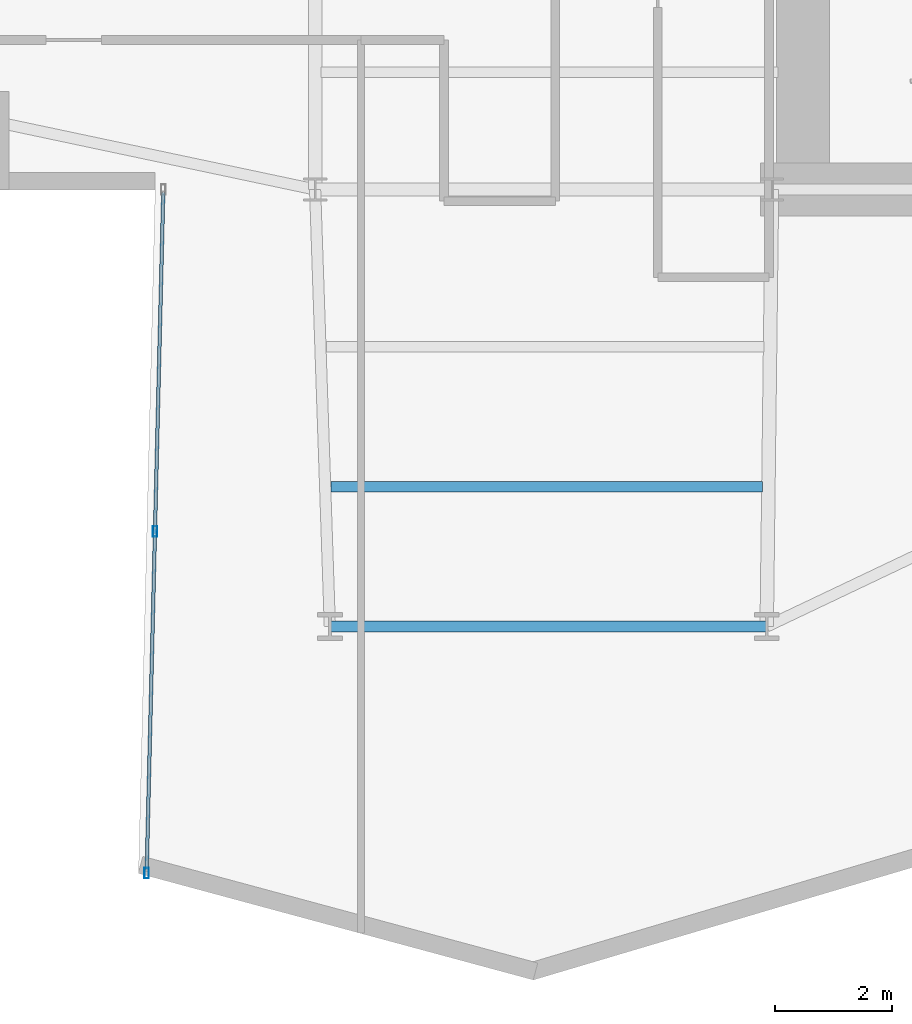
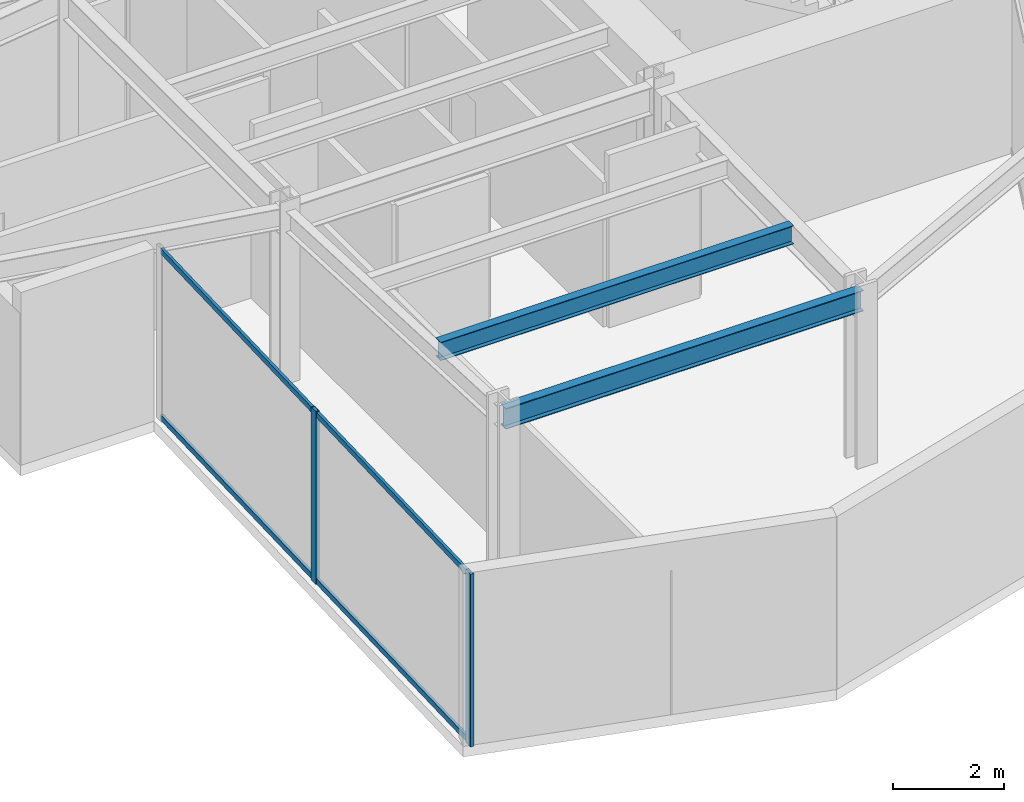
# One storey, part 4 of 24: 4 members, 2 beams, 1 element without a shape of its own.
"""IFC4 building model written with IfcOpenShell, lengths in metres."""

from ifc_helpers import new_model, si_unit, direction, frame, origin, origin_2d, place, context, subcontext, project, spatial, hollow_rectangle, i_section, extrude, material, layer, layer_set, material_profile, profile_set, type_object, element, aggregate, save


model = new_model("IFC4")

# Units and contexts
model_context = context("Model", 3, precision=1e-05, world=origin(), true_north=direction((0.0, 1.0)))
body_context = subcontext(model_context, "Body", "Model", "MODEL_VIEW")
ifc_project = project(units=[si_unit("LENGTHUNIT", "METRE"), si_unit("AREAUNIT", "SQUARE_METRE"), si_unit("VOLUMEUNIT", "CUBIC_METRE"), si_unit("PLANEANGLEUNIT", "RADIAN"), si_unit("MASSUNIT", "GRAM", prefix="KILO")], contexts=[model_context])

# Site, building, storey
site_placement = place(None, origin())
site = spatial("IfcSite", under=ifc_project, at=site_placement, CompositionType="ELEMENT")
building_placement = place(site_placement, origin())
building = spatial("IfcBuilding", under=site, at=building_placement, Name="Veymaron Broadcast Tower", CompositionType="ELEMENT")
storey_placement = place(building_placement, frame((0.0, 0.0, 78.300048828125)))
storey = spatial("IfcBuildingStorey", under=building, at=storey_placement, Name="L17", CompositionType="ELEMENT", Elevation=78.300048828125)

# Beams
ifc_material_1 = material(Name="Structural steel ASTM A992 Gr 50", Category="steel")
ifc_material_profile_1 = material_profile(ifc_material_1, i_section(OverallWidth=0.177978515625, OverallDepth=0.406982421875, WebThickness=0.0078125, FlangeThickness=0.0126953125, at=origin_2d()), Name="W410X60")
ifc_profile_set_1 = profile_set([ifc_material_profile_1], Name="Structural steel ASTM A992 Gr 50")
beam_type_1 = type_object("IfcBeamType", Name="BM-JS1", PredefinedType="JOIST", material=ifc_profile_set_1)
beam_1_placement = place(storey_placement, frame((31.471435546875, 10.92724609375, 3.6064453125), z_axis=(1.0, 0.0, 0.0), x_axis=(0.0, 1.0, 0.0)))
element("IfcBeam", 1, at=beam_1_placement, inside=storey, type_object=beam_type_1, Name="L17 Arm-C secondary joist 2", PredefinedType="JOIST", context=body_context, shape_type="SweptSolid", body=[
    extrude(i_section(OverallWidth=0.177978515625, OverallDepth=0.406982421875, WebThickness=0.0078125, FlangeThickness=0.0126953125, at=origin_2d()), origin(), (0.0, 0.0, 1.0), 7.367431640625),
])
ifc_material_profile_2 = material_profile(ifc_material_1, i_section(OverallWidth=0.19091796875, OverallDepth=0.4599609375, WebThickness=0.010009765625, FlangeThickness=0.01611328125, at=origin_2d()), Name="W460X82")
ifc_profile_set_2 = profile_set([ifc_material_profile_2], Name="Structural steel ASTM A992 Gr 50")
beam_type_2 = type_object("IfcBeamType", Name="BM-SP1", PredefinedType="SPANDREL", material=ifc_profile_set_2)
beam_2_placement = place(storey_placement, frame((31.451904296875, 8.5400390625, 3.579833984375), z_axis=(1.0, 0.0, 0.0), x_axis=(0.0, 1.0, 0.0)))
element("IfcBeam", 2, at=beam_2_placement, inside=storey, type_object=beam_type_2, Name="L17 primary structural floor girder", PredefinedType="SPANDREL", context=body_context, shape_type="SweptSolid", body=[
    extrude(i_section(OverallWidth=0.19091796875, OverallDepth=0.4599609375, WebThickness=0.010009765625, FlangeThickness=0.01611328125, at=origin_2d()), origin(), (0.0, 0.0, 1.0), 7.4580078125),
])

# Curtain wall, members
ifc_material_2 = material(Name="Anodised aluminium AA 6063-T6 and laminated low-E dark glass", Category="aluminium")
ifc_layer = layer(ifc_material_2, 0.179931640625)
ifc_layer_set = layer_set([ifc_layer], Name="Anodised aluminium AA 6063-T6 and laminated low-E dark glass")
curtain_wall_type = type_object("IfcCurtainWallType", Name="CW-SYS-02", PredefinedType="NOTDEFINED", material=ifc_layer_set)
curtain_wall_placement = place(storey_placement, origin())
curtain_wall = element("IfcCurtainWall", 3, at=curtain_wall_placement, inside=storey, type_object=curtain_wall_type, Name="L17 dark-glass curtain wall CW-L17-E17-1", PredefinedType="NOTDEFINED")
ifc_material_3 = material(Name="Anodised aluminium AA 6063-T6", Category="aluminium")
ifc_material_profile_3 = material_profile(ifc_material_3, hollow_rectangle(XDim=0.074951171875, YDim=0.179931640625, WallThickness=0.0048828125, at=origin_2d()), Name="AL180X75X5")
ifc_profile_set_3 = profile_set([ifc_material_profile_3], Name="Anodised aluminium AA 6063-T6")
member_type_1 = type_object("IfcMemberType", Name="CW-MUL-02", PredefinedType="MULLION", material=ifc_profile_set_3)
member_1_placement = place(storey_placement, frame((28.46630859375, 10.16357421875, 0.0), z_axis=(0.0, 0.0, 1.0), x_axis=(1.0, 0.0, 0.0)))
member_1 = element("IfcMember", 4, at=member_1_placement, type_object=member_type_1, Name="CW-L17-E17-1 mullion 1", PredefinedType="MULLION", context=body_context, shape_type="SweptSolid", body=[
    extrude(hollow_rectangle(XDim=0.074951171875, YDim=0.179931640625, WallThickness=0.0048828125, at=origin_2d()), origin(), (0.0, 0.0, 1.0), 3.81005859375),
])
member_2_placement = place(storey_placement, frame((28.323974609375, 4.33056640625, 0.0), z_axis=(0.0, 0.0, 1.0), x_axis=(1.0, 0.0, 0.0)))
member_2 = element("IfcMember", 5, at=member_2_placement, type_object=member_type_1, Name="CW-L17-E17-1 mullion 2", PredefinedType="MULLION", context=body_context, shape_type="SweptSolid", body=[
    extrude(hollow_rectangle(XDim=0.074951171875, YDim=0.179931640625, WallThickness=0.0048828125, at=origin_2d()), origin(), (0.0, 0.0, 1.0), 3.81005859375),
])
ifc_material_profile_4 = material_profile(ifc_material_3, hollow_rectangle(XDim=0.06005859375, YDim=0.1201171875, WallThickness=0.00390625, at=origin_2d()), Name="AL120X60X4")
ifc_profile_set_4 = profile_set([ifc_material_profile_4], Name="Anodised aluminium AA 6063-T6")
member_type_2 = type_object("IfcMemberType", Name="CW-TRN-02", PredefinedType="USERDEFINED", material=ifc_profile_set_4)
member_3_placement = place(storey_placement, frame((28.607421875, 15.946533203125, 0.070068359375), z_axis=(-0.02439430893, -0.999702414567, 0.0), x_axis=(0.999702414567, -0.02439430893, 0.0)))
member_3 = element("IfcMember", 6, at=member_3_placement, type_object=member_type_2, Name="CW-L17-E17-1 transom B", ObjectType="TRANSOM", PredefinedType="USERDEFINED", context=body_context, shape_type="SweptSolid", body=[
    extrude(hollow_rectangle(XDim=0.06005859375, YDim=0.1201171875, WallThickness=0.00390625, at=origin_2d()), origin(), (0.0, 0.0, 1.0), 11.5693359375),
])
member_4_placement = place(storey_placement, frame((28.607421875, 15.946533203125, 3.739990234375), z_axis=(-0.02439430893, -0.999702414567, 0.0), x_axis=(0.999702414567, -0.02439430893, 0.0)))
member_4 = element("IfcMember", 7, at=member_4_placement, type_object=member_type_2, Name="CW-L17-E17-1 transom T", ObjectType="TRANSOM", PredefinedType="USERDEFINED", context=body_context, shape_type="SweptSolid", body=[
    extrude(hollow_rectangle(XDim=0.06005859375, YDim=0.1201171875, WallThickness=0.00390625, at=origin_2d()), origin(), (0.0, 0.0, 1.0), 11.5693359375),
])
aggregate(curtain_wall, [member_1, member_2, member_3, member_4])

save(model, "model.ifc")
